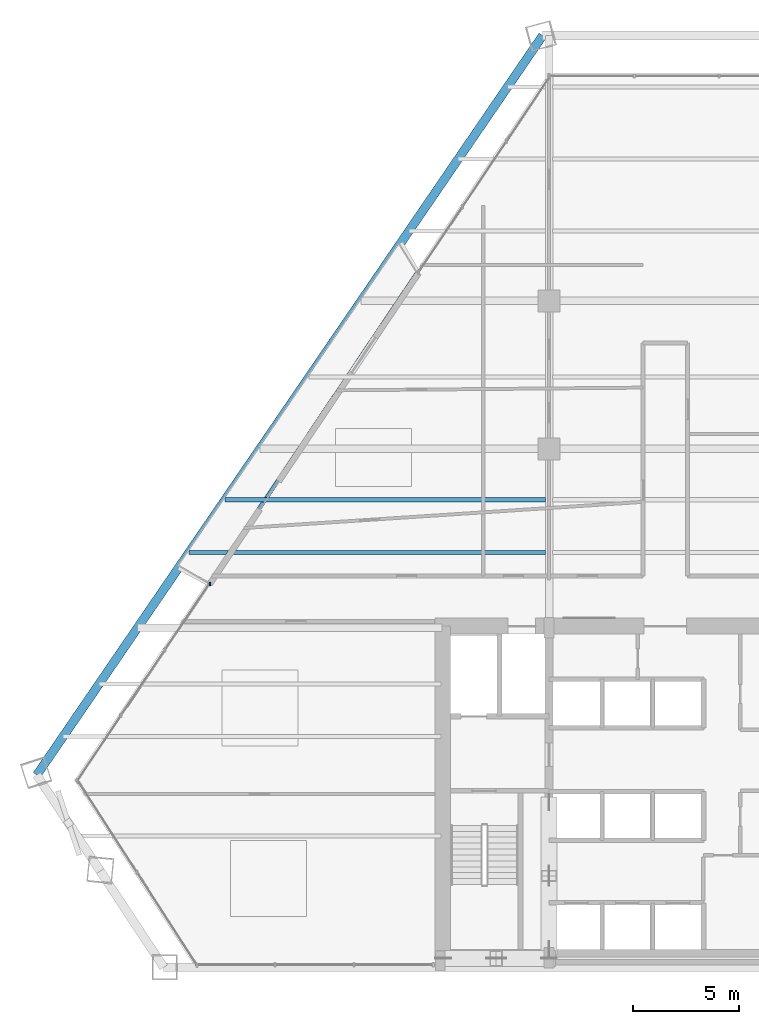
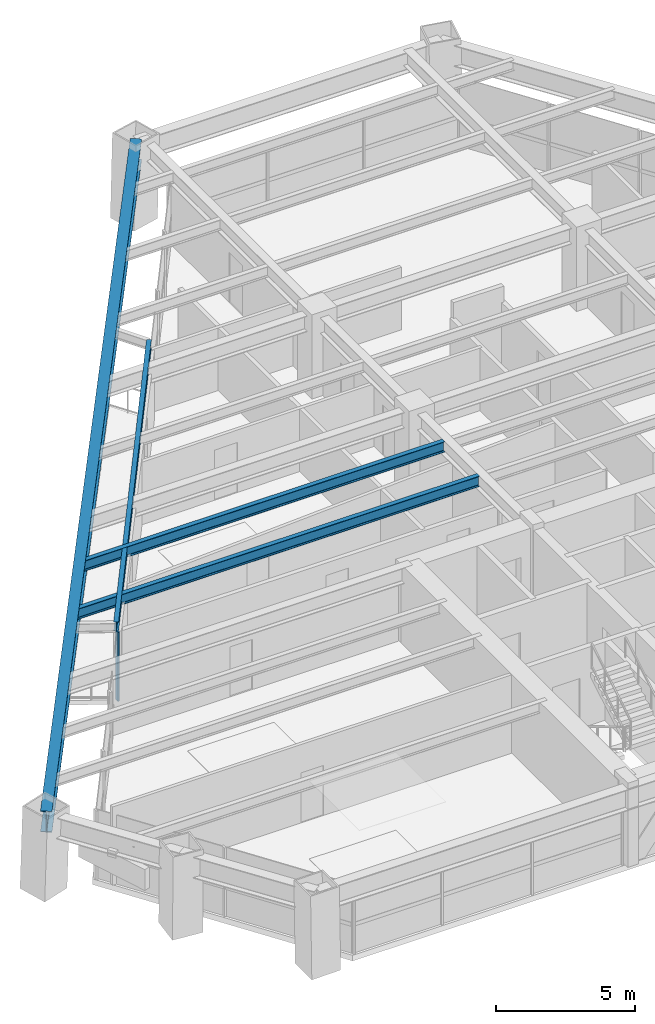
# One storey, part 4 of 14: 4 beams, 1 member, 1 element without a shape of its own.
"""IFC4 building model written with IfcOpenShell, lengths in metres."""

import ifcopenshell
import ifcopenshell.guid

model = None  # the IFC model being written
_history = None  # IfcOwnerHistory: only IFC2X3 demands one
_inside = {}  # id of a spatial element -> (the spatial element, [elements in it])
_under = {}  # id of a project, library or spatial element -> (it, [spatial elements below it])
_declared = {}  # id of a project -> (the project, [libraries it declares])
_typed = {}  # id of a type object -> (the type object, [elements of that type])
_made_of = {}  # id of a material, layer set ... -> (it, [elements and type objects made of it])


def new_model(schema):
    """Start an empty IFC model of exactly this schema.

    Asked for "IFC4X3", IfcOpenShell would pick the latest addendum, in which some entities
    have other attributes; the version numbers below select the first issue.
    IFC2X3 requires an IfcOwnerHistory on every rooted entity: one is made here for all.
    """
    global model, _history
    if schema == "IFC4X3":
        model = ifcopenshell.file(schema_version=(4, 3, 0, 0))
    else:
        model = ifcopenshell.file(schema=schema)
    _inside.clear()
    _under.clear()
    _declared.clear()
    _typed.clear()
    _made_of.clear()
    _history = None
    if model.schema == "IFC2X3":
        org = make("IfcOrganization", Name="unknown")
        user = make(
            "IfcPersonAndOrganization",
            ThePerson=make("IfcPerson", FamilyName="unknown"),
            TheOrganization=org,
        )
        app = make(
            "IfcApplication",
            ApplicationDeveloper=org,
            Version="unknown",
            ApplicationFullName="unknown",
            ApplicationIdentifier="unknown",
        )
        _history = make(
            "IfcOwnerHistory",
            OwningUser=user,
            OwningApplication=app,
            ChangeAction="ADDED",
            CreationDate=0,
        )
    return model


def make(cls, **values):
    """One entity of the class cls with the attributes given. An attribute that is None is left unset."""
    return model.create_entity(
        cls, **{name: value for name, value in values.items() if value is not None}
    )


def rooted(cls, **values):
    """An entity with a GlobalId (a new one), such as an element, a storey or a relation."""
    return make(cls, GlobalId=ifcopenshell.guid.new(), OwnerHistory=_history, **values)


def si_unit(unit_type, name, prefix=None):
    """IfcSIUnit, for example si_unit("LENGTHUNIT", "METRE", prefix="MILLI")."""
    return make("IfcSIUnit", UnitType=unit_type, Prefix=prefix, Name=name)


def assignment(units):
    """IfcUnitAssignment: the units of a project."""
    return None if units is None else make("IfcUnitAssignment", Units=units)


def point(xyz):
    """IfcCartesianPoint."""
    return None if xyz is None else make("IfcCartesianPoint", Coordinates=xyz)


def direction(xyz):
    """IfcDirection."""
    return None if xyz is None else make("IfcDirection", DirectionRatios=xyz)


def frame(location, z_axis=None, x_axis=None):
    """IfcAxis2Placement3D, a coordinate frame: its origin and axes. An axis left out is left unset."""
    return make(
        "IfcAxis2Placement3D",
        Location=point(location),
        Axis=direction(z_axis),
        RefDirection=direction(x_axis),
    )


def frame_2d(location, x_axis=None):
    """IfcAxis2Placement2D, a coordinate frame in the plane: its origin and x axis."""
    return make(
        "IfcAxis2Placement2D", Location=point(location), RefDirection=direction(x_axis)
    )


def origin():
    """The frame at (0, 0, 0) with its axes left unset."""
    return frame((0.0, 0.0, 0.0))


def origin_2d():
    """The frame at (0, 0) in the plane with its x axis left unset."""
    return frame_2d((0.0, 0.0))


def place(relative_to, where):
    """IfcLocalPlacement: puts the frame where relative to a parent placement (None: the world)."""
    return make(
        "IfcLocalPlacement", PlacementRelTo=relative_to, RelativePlacement=where
    )


def context(
    kind, dimensions, precision=None, world=None, true_north=None, identifier=None
):
    """IfcGeometricRepresentationContext, for example the 3D "Model" context."""
    return make(
        "IfcGeometricRepresentationContext",
        ContextIdentifier=identifier,
        ContextType=kind,
        CoordinateSpaceDimension=dimensions,
        Precision=precision,
        WorldCoordinateSystem=world,
        TrueNorth=true_north,
    )


def subcontext(parent, identifier, kind, view, scale=None):
    """IfcGeometricRepresentationSubContext, for example "Body" below "Model"."""
    return make(
        "IfcGeometricRepresentationSubContext",
        ContextIdentifier=identifier,
        ContextType=kind,
        ParentContext=parent,
        TargetScale=scale,
        TargetView=view,
    )


def project(units=None, contexts=None):
    """IfcProject with its units and contexts."""
    return rooted(
        "IfcProject",
        Name="project",
        RepresentationContexts=contexts,
        UnitsInContext=assignment(units),
    )


def spatial(cls, under=None, at=None, **own):
    """A site, building, storey or space (cls), placed at a placement, below another one or the project."""
    s = rooted(cls, ObjectPlacement=at, **own)
    if under is not None:
        _under.setdefault(under.id(), (under, []))[1].append(s)
    return s


def profile(cls, at=None, kind="AREA", **sizes):
    """A parametric profile (cls). Its sizes go by their IFC names, for example OverallWidth=200.0."""
    return make(cls, ProfileType=kind, Position=at, **sizes)


def rectangle(**sizes):
    """IfcRectangleProfileDef."""
    return profile("IfcRectangleProfileDef", **sizes)


def i_section(**sizes):
    """IfcIShapeProfileDef."""
    return profile("IfcIShapeProfileDef", **sizes)


def extrude(swept, where, along, depth):
    """IfcExtrudedAreaSolid: the profile swept, set in the frame where, extruded along a direction by depth."""
    return make(
        "IfcExtrudedAreaSolid",
        SweptArea=swept,
        Position=where,
        ExtrudedDirection=direction(along),
        Depth=depth,
    )


def shape(context_of_items, identifier, shape_type, items):
    """IfcShapeRepresentation: the items that make up one representation, for example the "Body"."""
    return make(
        "IfcShapeRepresentation",
        ContextOfItems=context_of_items,
        RepresentationIdentifier=identifier,
        RepresentationType=shape_type,
        Items=items,
    )


def source(mapping_origin, context_of_items, identifier, shape_type, items):
    """IfcRepresentationMap: a shape defined once, which mapped items show again and again."""
    return make(
        "IfcRepresentationMap",
        MappingOrigin=mapping_origin,
        MappedRepresentation=shape(context_of_items, identifier, shape_type, items),
    )


def transform(
    local_origin,
    x_axis=None,
    y_axis=None,
    z_axis=None,
    scale=None,
    scale2=None,
    scale3=None,
    uniform=True,
):
    """IfcCartesianTransformationOperator3D, or its non-uniform kind. x_axis, y_axis, z_axis: its Axis1, 2, 3."""
    if uniform:
        return make(
            "IfcCartesianTransformationOperator3D",
            Axis1=direction(x_axis),
            Axis2=direction(y_axis),
            LocalOrigin=point(local_origin),
            Scale=scale,
            Axis3=direction(z_axis),
        )
    return make(
        "IfcCartesianTransformationOperator3DnonUniform",
        Axis1=direction(x_axis),
        Axis2=direction(y_axis),
        LocalOrigin=point(local_origin),
        Scale=scale,
        Axis3=direction(z_axis),
        Scale2=scale2,
        Scale3=scale3,
    )


def mapped(mapping_source, mapping_target):
    """IfcMappedItem: shows the shape of a source again, moved by a transform."""
    return make(
        "IfcMappedItem", MappingSource=mapping_source, MappingTarget=mapping_target
    )


def material(Name=None, Category=None):
    """IfcMaterial."""
    return make("IfcMaterial", Name=Name, Category=Category)


def material_profile(
    of_material, cross_section, Name=None, Category=None, Priority=None
):
    """IfcMaterialProfile: a cross section and its material."""
    return make(
        "IfcMaterialProfile",
        Name=Name,
        Material=of_material,
        Profile=cross_section,
        Priority=Priority,
        Category=Category,
    )


def profile_set(profiles, Name=None, composite=None):
    """IfcMaterialProfileSet."""
    return make(
        "IfcMaterialProfileSet",
        Name=Name,
        MaterialProfiles=profiles,
        CompositeProfile=composite,
    )


def made_of(thing, what):
    """Note that an element or type object is made of a material, layer set ...; save() writes the relation."""
    if what is not None:
        _made_of.setdefault(what.id(), (what, []))[1].append(thing)
    return thing


def type_object(cls, material=None, **own):
    """A type object (cls), such as IfcWallType, which elements share."""
    return made_of(rooted(cls, **own), material)


def type_shapes(of_type, sources):
    """Give a type object the sources (RepresentationMaps) that its elements show as mapped items."""
    of_type.RepresentationMaps = sources


def element(
    cls,
    number,
    at=None,
    inside=None,
    cuts=None,
    type_object=None,
    material=None,
    context=None,
    identifier="Body",
    shape_type=None,
    held_by="IfcProductDefinitionShape",
    body=None,
    shapes=None,
    **own,
):
    """One element of the class cls, such as IfcWall. Its Tag is "e" and its number.

    at: its placement. inside: the storey or other place that contains it. cuts: it is an
    opening in that element (IfcRelVoidsElement). A single representation is given by context,
    identifier, shape_type and body (its items); several are given by shapes. held_by: the class
    of the entity that holds the representations. save() writes the other relations.
    """
    e = rooted(cls, Tag="e%d" % number, ObjectPlacement=at, **own)
    if body is not None:
        shapes = [shape(context, identifier, shape_type, body)]
    if shapes is not None:
        e.Representation = make(held_by, Representations=shapes)
    if inside is not None:
        _inside.setdefault(inside.id(), (inside, []))[1].append(e)
    if cuts is not None:
        rooted(
            "IfcRelVoidsElement", RelatingBuildingElement=cuts, RelatedOpeningElement=e
        )
    if type_object is not None:
        _typed.setdefault(type_object.id(), (type_object, []))[1].append(e)
    return made_of(e, material)


def aggregate(whole, parts):
    """IfcRelAggregates: a whole, such as a stair, and the parts it consists of."""
    return rooted("IfcRelAggregates", RelatingObject=whole, RelatedObjects=parts)


def save(model, path):
    """Write the relations noted so far, then the file.

    IfcRelAggregates (storeys below a building ...), IfcRelContainedInSpatialStructure (elements
    in a storey), IfcRelDefinesByType, IfcRelAssociatesMaterial and IfcRelDeclares: one each for
    every whole, place, type object, material and project.
    """
    for whole, parts in _under.values():
        aggregate(whole, parts)
    for where, things in _inside.values():
        rooted(
            "IfcRelContainedInSpatialStructure",
            RelatedElements=things,
            RelatingStructure=where,
        )
    for kind, things in _typed.values():
        rooted("IfcRelDefinesByType", RelatedObjects=things, RelatingType=kind)
    for what, things in _made_of.values():
        rooted("IfcRelAssociatesMaterial", RelatedObjects=things, RelatingMaterial=what)
    for by, libraries in _declared.values():
        rooted("IfcRelDeclares", RelatingContext=by, RelatedDefinitions=libraries)
    model.write(path)


model = new_model("IFC4")

# Units and contexts
model_context = context("Model", 3, precision=1e-05, world=origin(), true_north=direction((0.0, 1.0)))
body_context = subcontext(model_context, "Body", "Model", "MODEL_VIEW")
ifc_project = project(units=[si_unit("LENGTHUNIT", "METRE"), si_unit("AREAUNIT", "SQUARE_METRE"), si_unit("VOLUMEUNIT", "CUBIC_METRE"), si_unit("PLANEANGLEUNIT", "RADIAN"), si_unit("MASSUNIT", "GRAM", prefix="KILO")], contexts=[model_context])

# Site, building, storey
site_placement = place(None, origin())
site = spatial("IfcSite", under=ifc_project, at=site_placement, CompositionType="ELEMENT")
building_placement = place(site_placement, origin())
building = spatial("IfcBuilding", under=site, at=building_placement, Name="Varnakhor Terracotta Tower", CompositionType="ELEMENT")
storey_placement = place(building_placement, frame((0.0, 0.0, 98.800048828125)))
storey = spatial("IfcBuildingStorey", under=building, at=storey_placement, Name="L24", CompositionType="ELEMENT", Elevation=98.800048828125)

# Beams
ifc_material_1 = material(Name="Steel S355", Category="steel")
ifc_material_profile_1 = material_profile(ifc_material_1, i_section(OverallWidth=0.41796875, OverallDepth=0.927001953125, WebThickness=0.01904296875, FlangeThickness=0.031982421875, FilletRadius=0.01806640625, at=origin_2d()), Name="W36X231")
ifc_profile_set_1 = profile_set([ifc_material_profile_1], Name="Steel S355")
beam_type_1 = type_object("IfcBeamType", Name="BM-W36X231", PredefinedType="BEAM", material=ifc_profile_set_1)
shared_shape_1 = source(origin(), body_context, "Body", "SweptSolid", [
    extrude(i_section(OverallWidth=0.41796875, OverallDepth=0.927001953125, WebThickness=0.01904296875, FlangeThickness=0.031982421875, FilletRadius=0.01806640625, at=origin_2d()), origin(), (0.0, 0.0, 1.0), 42.348388671875),
])
beam_1_placement = place(storey_placement, frame((-5.799072265625, 44.041015625, 2.986572265625), z_axis=(-0.564610545092, -0.825357457331, 0.0), x_axis=(0.825357457331, -0.564610545092, 0.0)))
element("IfcBeam", 1, at=beam_1_placement, inside=storey, type_object=beam_type_1, Name="L24 Perimeter Spandrel 6", PredefinedType="BEAM", context=body_context, shape_type="MappedRepresentation", body=[
    mapped(shared_shape_1, transform((0.0, 0.0, 0.0), scale=1.0)),
])
ifc_material_profile_2 = material_profile(ifc_material_1, i_section(OverallWidth=0.179931640625, OverallDepth=0.39990234375, WebThickness=0.008544921875, FlangeThickness=0.013427734375, FilletRadius=0.01806640625, at=origin_2d()), Name="IPE400")
ifc_profile_set_2 = profile_set([ifc_material_profile_2], Name="Steel S355")
beam_type_2 = type_object("IfcBeamType", Name="JST-IPE400", PredefinedType="JOIST", material=ifc_profile_set_2)
shared_shape_2 = source(origin(), body_context, "Body", "SweptSolid", [
    extrude(i_section(OverallWidth=0.179931640625, OverallDepth=0.39990234375, WebThickness=0.008544921875, FlangeThickness=0.013427734375, FilletRadius=0.01806640625, at=origin_2d()), origin(), (0.0, 0.0, 1.0), 17.766357421875),
])
beam_2_placement = place(storey_placement, frame((-11.70361328125, 32.876708984375, 3.25), z_axis=(-0.556538112224, -0.830822080618, 0.0), x_axis=(0.830822080618, -0.556538112224, 0.0)))
element("IfcBeam", 2, at=beam_2_placement, inside=storey, type_object=beam_type_2, Name="L24 Loggia Edge Beam 2", PredefinedType="JOIST", context=body_context, shape_type="MappedRepresentation", body=[
    mapped(shared_shape_2, transform((0.0, 0.0, 0.0), scale=1.0)),
])
ifc_material_profile_3 = material_profile(ifc_material_1, i_section(OverallWidth=0.19189453125, OverallDepth=0.462890625, WebThickness=0.010498046875, FlangeThickness=0.017578125, FilletRadius=0.01806640625, at=origin_2d()), Name="W18X60")
ifc_profile_set_3 = profile_set([ifc_material_profile_3], Name="Steel S355")
beam_type_3 = type_object("IfcBeamType", Name="JST-W18X60", PredefinedType="JOIST", material=ifc_profile_set_3)
shared_shape_3 = source(origin(), body_context, "Body", "SweptSolid", [
    extrude(i_section(OverallWidth=0.19189453125, OverallDepth=0.462890625, WebThickness=0.010498046875, FlangeThickness=0.017578125, FilletRadius=0.01806640625, at=origin_2d()), origin(), (0.0, 0.0, 1.0), 16.84521484375),
])
beam_3_placement = place(storey_placement, frame((-22.518798828125, 19.60009765625, 3.218505859375), z_axis=(1.0, 0.0, 0.0), x_axis=(0.0, 1.0, 0.0)))
element("IfcBeam", 3, at=beam_3_placement, inside=storey, type_object=beam_type_3, Name="L24 Composite Floor Joist 4-1", PredefinedType="JOIST", context=body_context, shape_type="MappedRepresentation", body=[
    mapped(shared_shape_3, transform((0.0, 0.0, 0.0), scale=1.0)),
])
shared_shape_4 = source(origin(), body_context, "Body", "SweptSolid", [
    extrude(i_section(OverallWidth=0.19189453125, OverallDepth=0.462890625, WebThickness=0.010498046875, FlangeThickness=0.017578125, FilletRadius=0.01806640625, at=origin_2d()), origin(), (0.0, 0.0, 1.0), 15.135009765625),
])
beam_4_placement = place(storey_placement, frame((-20.80859375, 22.10009765625, 3.218505859375), z_axis=(1.0, 0.0, 0.0), x_axis=(0.0, 1.0, 0.0)))
element("IfcBeam", 4, at=beam_4_placement, inside=storey, type_object=beam_type_3, Name="L24 Composite Floor Joist 5-1", PredefinedType="JOIST", context=body_context, shape_type="MappedRepresentation", body=[
    mapped(shared_shape_4, transform((0.0, 0.0, 0.0), scale=1.0)),
])

# Curtain wall, member
ifc_material_2 = material(Name="Anodised Aluminium Curtain Wall System", Category="aluminium")
curtain_wall_type = type_object("IfcCurtainWallType", Name="CW-SYS-LOW-OFFICE", PredefinedType="NOTDEFINED", material=ifc_material_2)
curtain_wall_placement = place(storey_placement, origin())
curtain_wall = element("IfcCurtainWall", 5, at=curtain_wall_placement, inside=storey, type_object=curtain_wall_type, Name="L24 W Facet Curtain Wall 1", PredefinedType="NOTDEFINED")
ifc_material_3 = material(Name="Anodised Aluminium 6063-T6", Category="aluminium")
ifc_material_profile_4 = material_profile(ifc_material_3, rectangle(XDim=0.074951171875, YDim=0.18505859375, at=origin_2d()), Name="ALU MULLION 75x185")
ifc_profile_set_4 = profile_set([ifc_material_profile_4], Name="Anodised Aluminium 6063-T6")
member_type = type_object("IfcMemberType", Name="CWM-02", PredefinedType="MULLION", material=ifc_profile_set_4)
shared_shape_5 = source(origin(), body_context, "Body", "SweptSolid", [
    extrude(rectangle(XDim=0.074951171875, YDim=0.18505859375, at=origin_2d()), origin(), (0.0, 0.0, 1.0), 3.030029296875),
])
type_shapes(member_type, [shared_shape_5])
member_placement = place(storey_placement, frame((-21.533447265625, 18.117919921875, 0.0), z_axis=(0.0, 0.0, 1.0), x_axis=(1.0, 0.0, 0.0)))
member = element("IfcMember", 6, at=member_placement, type_object=member_type, Name="L24 W Loggia Jamb Closure Mullion 1", PredefinedType="MULLION", context=body_context, shape_type="MappedRepresentation", body=[
    mapped(shared_shape_5, transform((0.0, 0.0, 0.0), scale=1.0)),
])
aggregate(curtain_wall, [member])

save(model, "model.ifc")
